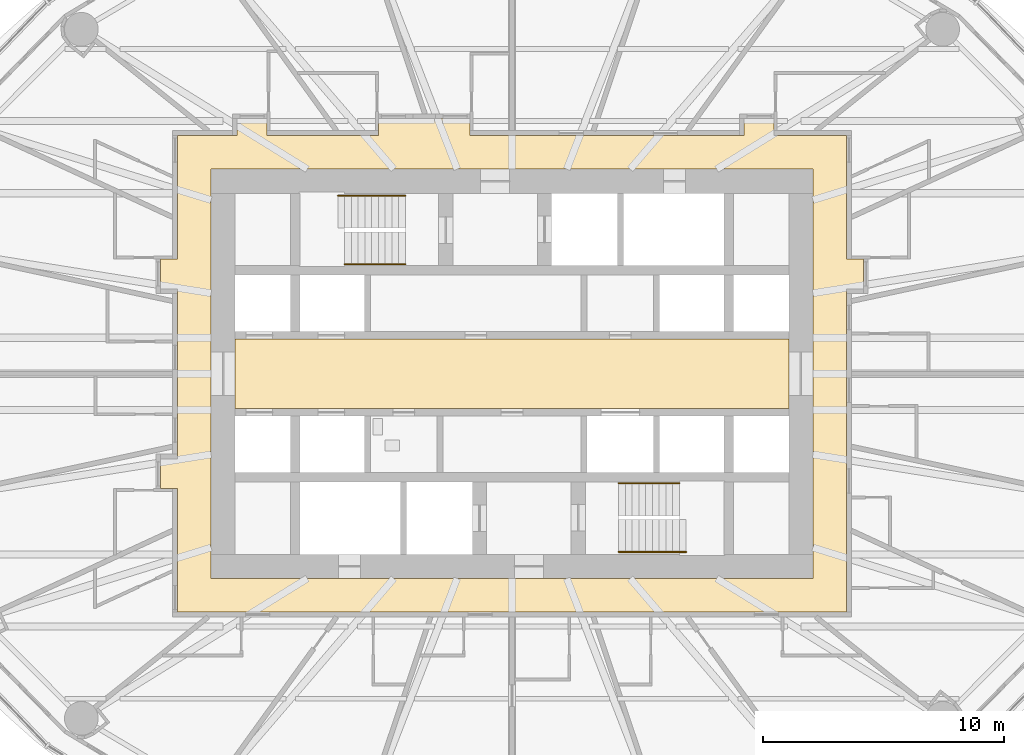
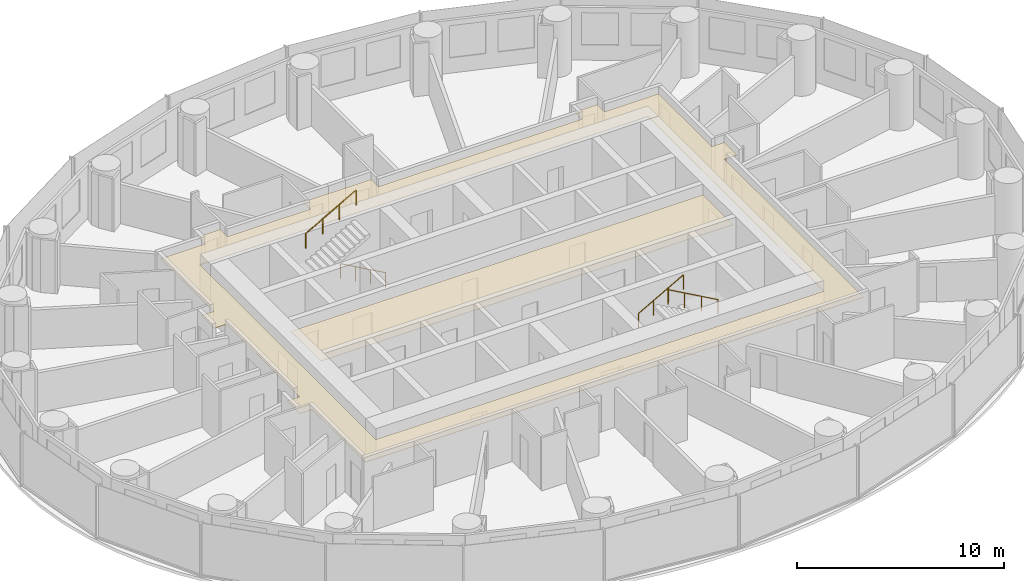
# One storey, part 15 of 16: 4 railings, 2 coverings.
"""IFC4 building model written with IfcOpenShell, lengths in metres."""

from ifc_helpers import new_model, si_unit, direction, frame, origin, origin_2d, place, context, subcontext, project, spatial, polyline, circle, outline, extrude, material, layer, layer_set, type_object, element, save


model = new_model("IFC4")

# Units and contexts
model_context = context("Model", 3, precision=1e-05, world=origin(), true_north=direction((0.0, 1.0)))
body_context = subcontext(model_context, "Body", "Model", "MODEL_VIEW")
ifc_project = project(units=[si_unit("LENGTHUNIT", "METRE"), si_unit("AREAUNIT", "SQUARE_METRE"), si_unit("VOLUMEUNIT", "CUBIC_METRE"), si_unit("PLANEANGLEUNIT", "RADIAN"), si_unit("MASSUNIT", "GRAM", prefix="KILO")], contexts=[model_context])

# Site, building, storey
site_placement = place(None, origin())
site = spatial("IfcSite", under=ifc_project, at=site_placement, CompositionType="ELEMENT")
building_placement = place(site_placement, origin())
building = spatial("IfcBuilding", under=site, at=building_placement, Name="Hankou Lantern Tower", CompositionType="ELEMENT")
storey_placement = place(building_placement, frame((0.0, 0.0, 77.10009765625)))
storey = spatial("IfcBuildingStorey", under=building, at=storey_placement, Name="L19", CompositionType="ELEMENT", Elevation=77.10009765625)

# Coverings
ifc_material_1 = material(Name="Black painted aluminium linear ceiling panels", Category="aluminium")
ifc_layer_1 = layer(ifc_material_1, 0.02490234375)
ifc_layer_set_1 = layer_set([ifc_layer_1], Name="Black painted aluminium linear ceiling panels")
covering_type_1 = type_object("IfcCoveringType", Name="CL1 CORRIDOR CEILING 25", PredefinedType="CEILING", material=ifc_layer_set_1)
covering_1_placement = place(storey_placement, frame((0.0, 0.0, 2.64501953125)))
element("IfcCovering", 1, at=covering_1_placement, inside=storey, type_object=covering_type_1, Name="Corridor ceiling L19", PredefinedType="CEILING", context=body_context, shape_type="SweptSolid", body=[
    extrude(outline(polyline([(-14.60009765625, -4.7724609375), (-13.89990234375, -4.7724609375), (-13.89990234375, -9.89990234375), (13.89990234375, -9.89990234375), (13.89990234375, 3.532470703125), (14.60009765625, 3.532470703125), (14.60009765625, 4.7724609375), (13.89990234375, 4.7724609375), (13.89990234375, 9.89990234375), (10.885009765625, 9.89990234375), (10.885009765625, 10.60009765625), (9.64501953125, 10.60009765625), (9.64501953125, 9.89990234375), (-1.739990234375, 9.89990234375), (-1.739990234375, 10.60009765625), (-5.549072265625, 10.60009765625), (-5.549072265625, 9.89990234375), (-10.178955078125, 9.89990234375), (-10.178955078125, 10.60009765625), (-11.4189453125, 10.60009765625), (-11.4189453125, 9.89990234375), (-13.89990234375, 9.89990234375), (-13.89990234375, 4.7724609375), (-14.60009765625, 4.7724609375), (-14.60009765625, 3.532470703125), (-13.89990234375, 3.532470703125), (-13.89990234375, -3.532470703125), (-14.60009765625, -3.532470703125), (-14.60009765625, -4.7724609375)]), holes=[polyline([(-12.5, 8.5), (12.5, 8.5), (12.5, -8.5), (-12.5, -8.5), (-12.5, 8.5)])]), origin(), (0.0, 0.0, 1.0), 0.02490234375),
])
ifc_material_2 = material(Name="Perforated black aluminium acoustic tray ceiling", Category="aluminium")
ifc_layer_2 = layer(ifc_material_2, 0.014892578125)
ifc_layer_set_2 = layer_set([ifc_layer_2], Name="Perforated black aluminium acoustic tray ceiling")
covering_type_2 = type_object("IfcCoveringType", Name="CL2 LIFT LOBBY CEILING 15", PredefinedType="CEILING", material=ifc_layer_set_2)
covering_2_placement = place(storey_placement, frame((0.0, 0.0, 2.65478515625)))
element("IfcCovering", 2, at=covering_2_placement, inside=storey, type_object=covering_type_2, Name="Lift lobby ceiling L19", PredefinedType="CEILING", context=body_context, shape_type="SweptSolid", body=[
    extrude(outline(polyline([(-11.5, -1.449951171875), (11.5, -1.449951171875), (11.5, 1.449951171875), (-11.5, 1.449951171875), (-11.5, -1.449951171875)])), origin(), (0.0, 0.0, 1.0), 0.01513671875),
])

# Railings
ifc_material_3 = material(Name="Steel handrail", Category="steel")
railing_type = type_object("IfcRailingType", Name="HR1 STAIR HANDRAIL", PredefinedType="HANDRAIL", material=ifc_material_3)
railing_1_placement = place(storey_placement, frame((-4.429931640625, 4.550048828125, 0.89990234375)))
element("IfcRailing", 3, at=railing_1_placement, inside=storey, type_object=railing_type, Name="Handrail stair STA L19 flight 1", PredefinedType="HANDRAIL", context=body_context, shape_type="SweptSolid", body=[
    extrude(circle(Radius=0.02392578125, at=origin_2d()), frame((0.0, 0.0, 0.8759765625), z_axis=(-0.872048945198, 0.0, 0.489418672692), x_axis=(0.0, -1.0, 0.0)), (0.0, 0.0, 1.0), 2.8896484375),
    extrude(circle(Radius=0.02099609375, at=origin_2d()), origin(), (0.0, 0.0, 1.0), 0.851806640625),
    extrude(circle(Radius=0.02099609375, at=origin_2d()), frame((-0.840087890625, 0.0, 0.471435546875)), (0.0, 0.0, 1.0), 0.851806640625),
    extrude(circle(Radius=0.02099609375, at=origin_2d()), frame((-1.679931640625, 0.0, 0.94287109375)), (0.0, 0.0, 1.0), 0.851806640625),
    extrude(circle(Radius=0.02099609375, at=origin_2d()), frame((-2.52001953125, 0.0, 1.414306640625)), (0.0, 0.0, 1.0), 0.851806640625),
])
railing_2_placement = place(storey_placement, frame((-7.22998046875, 7.39990234375, 2.471435546875)))
element("IfcRailing", 4, at=railing_2_placement, inside=storey, type_object=railing_type, Name="Handrail stair STA L19 flight 2", PredefinedType="HANDRAIL", context=body_context, shape_type="SweptSolid", body=[
    extrude(circle(Radius=0.02392578125, at=origin_2d()), frame((0.0, 0.0, 0.8759765625), z_axis=(0.872072602893, 0.0, 0.489376516891), x_axis=(0.0, 1.0, 0.0)), (0.0, 0.0, 1.0), 3.210693359375),
    extrude(circle(Radius=0.02099609375, at=origin_2d()), origin(), (0.0, 0.0, 1.0), 0.851806640625),
    extrude(circle(Radius=0.02099609375, at=origin_2d()), frame((0.933349609375, 0.0, 0.523681640625)), (0.0, 0.0, 1.0), 0.851806640625),
    extrude(circle(Radius=0.02099609375, at=origin_2d()), frame((1.86669921875, 0.0, 1.047607421875)), (0.0, 0.0, 1.0), 0.851806640625),
    extrude(circle(Radius=0.02099609375, at=origin_2d()), frame((2.800048828125, 0.0, 1.5712890625)), (0.0, 0.0, 1.0), 0.851806640625),
])
railing_3_placement = place(storey_placement, frame((4.429931640625, -4.550048828125, 0.89990234375)))
element("IfcRailing", 5, at=railing_3_placement, inside=storey, type_object=railing_type, Name="Handrail stair STB L19 flight 1", PredefinedType="HANDRAIL", context=body_context, shape_type="SweptSolid", body=[
    extrude(circle(Radius=0.02392578125, at=origin_2d()), frame((0.0, 0.0, 0.8759765625), z_axis=(0.872048945198, 0.0, 0.489418672692), x_axis=(0.0, 1.0, 0.0)), (0.0, 0.0, 1.0), 2.8896484375),
    extrude(circle(Radius=0.02099609375, at=origin_2d()), origin(), (0.0, 0.0, 1.0), 0.851806640625),
    extrude(circle(Radius=0.02099609375, at=origin_2d()), frame((0.840087890625, 0.0, 0.471435546875)), (0.0, 0.0, 1.0), 0.851806640625),
    extrude(circle(Radius=0.02099609375, at=origin_2d()), frame((1.679931640625, 0.0, 0.94287109375)), (0.0, 0.0, 1.0), 0.851806640625),
    extrude(circle(Radius=0.02099609375, at=origin_2d()), frame((2.52001953125, 0.0, 1.414306640625)), (0.0, 0.0, 1.0), 0.851806640625),
])
railing_4_placement = place(storey_placement, frame((7.22998046875, -7.39990234375, 2.471435546875)))
element("IfcRailing", 6, at=railing_4_placement, inside=storey, type_object=railing_type, Name="Handrail stair STB L19 flight 2", PredefinedType="HANDRAIL", context=body_context, shape_type="SweptSolid", body=[
    extrude(circle(Radius=0.02392578125, at=origin_2d()), frame((0.0, 0.0, 0.8759765625), z_axis=(-0.872072602893, 0.0, 0.489376516891), x_axis=(0.0, -1.0, 0.0)), (0.0, 0.0, 1.0), 3.210693359375),
    extrude(circle(Radius=0.02099609375, at=origin_2d()), origin(), (0.0, 0.0, 1.0), 0.851806640625),
    extrude(circle(Radius=0.02099609375, at=origin_2d()), frame((-0.933349609375, 0.0, 0.523681640625)), (0.0, 0.0, 1.0), 0.851806640625),
    extrude(circle(Radius=0.02099609375, at=origin_2d()), frame((-1.86669921875, 0.0, 1.047607421875)), (0.0, 0.0, 1.0), 0.851806640625),
    extrude(circle(Radius=0.02099609375, at=origin_2d()), frame((-2.800048828125, 0.0, 1.5712890625)), (0.0, 0.0, 1.0), 0.851806640625),
])

save(model, "model.ifc")
